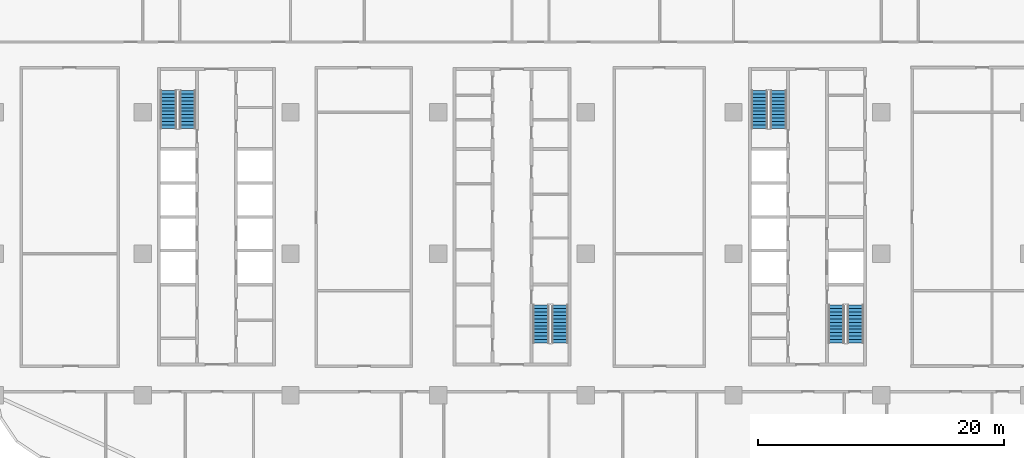
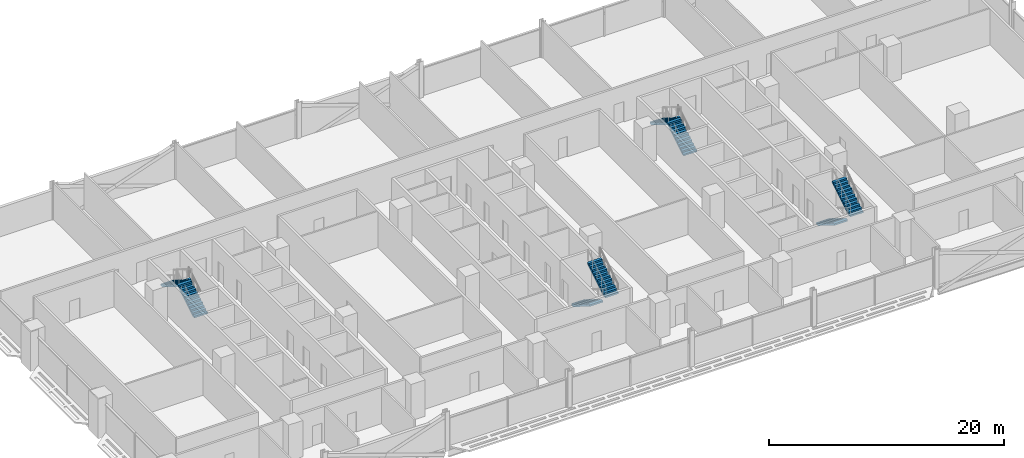
# One storey, part 18 of 29: 8 stair flights, 4 elements without a shape of their own.
"""IFC4 building model written with IfcOpenShell, lengths in metres."""

from ifc_helpers import new_model, si_unit, direction, frame, origin, place, context, subcontext, project, spatial, polyline, outline, extrude, material, type_object, element, aggregate, save


model = new_model("IFC4")

# Units and contexts
model_context = context("Model", 3, precision=1e-05, world=origin(), true_north=direction((0.0, 1.0)))
body_context = subcontext(model_context, "Body", "Model", "MODEL_VIEW")
ifc_project = project(units=[si_unit("LENGTHUNIT", "METRE"), si_unit("AREAUNIT", "SQUARE_METRE"), si_unit("VOLUMEUNIT", "CUBIC_METRE"), si_unit("PLANEANGLEUNIT", "RADIAN"), si_unit("MASSUNIT", "GRAM", prefix="KILO")], contexts=[model_context])

# Site, building, storey
site_placement = place(None, origin())
site = spatial("IfcSite", under=ifc_project, at=site_placement, CompositionType="ELEMENT")
building_placement = place(site_placement, origin())
building = spatial("IfcBuilding", under=site, at=building_placement, Name="Mahtab Terrace Research Tower", CompositionType="ELEMENT")
storey_placement = place(building_placement, frame((0.0, 0.0, 93.0)))
storey = spatial("IfcBuildingStorey", under=building, at=storey_placement, Name="L21", CompositionType="ELEMENT", Elevation=93.0)

# Stair, stair flights
ifc_material_1 = material(Name="Exit stair half-turn")
stair_type = type_object("IfcStairType", Name="Exit stair half-turn", PredefinedType="HALF_TURN_STAIR", material=ifc_material_1)
stair_1_placement = place(storey_placement, origin())
stair_1 = element("IfcStair", 1, at=stair_1_placement, inside=storey, type_object=stair_type, Name="L21 Protected exit stair ST1", PredefinedType="HALF_TURN_STAIR")
ifc_material_2 = material(Name="Concrete C40/50", Category="concrete")
stair_flight_type = type_object("IfcStairFlightType", Name="Exit stair flight 1300", PredefinedType="STRAIGHT", material=ifc_material_2)
stair_flight_1_placement = place(storey_placement, frame((-26.35009765625, 10.175048828125, 0.0), z_axis=(0.0, 0.0, 1.0), x_axis=(0.0, 1.0, 0.0)))
stair_flight_1 = element("IfcStairFlight", 2, at=stair_flight_1_placement, type_object=stair_flight_type, Name="ST1 flight 1", NumberOfRisers=12, NumberOfTreads=11, PredefinedType="STRAIGHT", RiserHeight=0.170833333, TreadLength=0.28, context=body_context, shape_type="SweptSolid", body=[
    extrude(outline(polyline([(0.0, 0.0), (0.0, 0.1708984375), (0.280029296875, 0.1708984375), (0.280029296875, 0.341552734375), (0.56005859375, 0.341552734375), (0.56005859375, 0.512451171875), (0.840087890625, 0.512451171875), (0.840087890625, 0.683349609375), (1.1201171875, 0.683349609375), (1.1201171875, 0.854248046875), (1.39990234375, 0.854248046875), (1.39990234375, 1.02490234375), (1.679931640625, 1.02490234375), (1.679931640625, 1.19580078125), (1.9599609375, 1.19580078125), (1.9599609375, 1.36669921875), (2.239990234375, 1.36669921875), (2.239990234375, 1.53759765625), (2.52001953125, 1.53759765625), (2.52001953125, 1.708251953125), (2.800048828125, 1.708251953125), (2.800048828125, 1.879150390625), (3.080078125, 1.879150390625), (3.080078125, 2.050048828125), (3.080078125, 1.70361328125), (0.287841796875, 0.0), (0.0, 0.0)])), frame((0.0, 0.64990234375, 0.0), z_axis=(0.0, -1.0, 0.0), x_axis=(1.0, 0.0, 0.0)), (0.0, 0.0, 1.0), 1.300048828125),
])
stair_flight_2_placement = place(storey_placement, frame((-27.89990234375, 13.2548828125, 2.050048828125), z_axis=(0.0, 0.0, 1.0), x_axis=(0.0, -1.0, 0.0)))
stair_flight_2 = element("IfcStairFlight", 3, at=stair_flight_2_placement, type_object=stair_flight_type, Name="ST1 flight 2", NumberOfRisers=12, NumberOfTreads=11, PredefinedType="STRAIGHT", RiserHeight=0.170833333, TreadLength=0.28, context=body_context, shape_type="SweptSolid", body=[
    extrude(outline(polyline([(0.0, 0.0), (0.0, 0.1708984375), (0.280029296875, 0.1708984375), (0.280029296875, 0.341552734375), (0.56005859375, 0.341552734375), (0.56005859375, 0.512451171875), (0.840087890625, 0.512451171875), (0.840087890625, 0.683349609375), (1.1201171875, 0.683349609375), (1.1201171875, 0.854248046875), (1.39990234375, 0.854248046875), (1.39990234375, 1.02490234375), (1.679931640625, 1.02490234375), (1.679931640625, 1.19580078125), (1.9599609375, 1.19580078125), (1.9599609375, 1.36669921875), (2.239990234375, 1.36669921875), (2.239990234375, 1.53759765625), (2.52001953125, 1.53759765625), (2.52001953125, 1.708251953125), (2.800048828125, 1.708251953125), (2.800048828125, 1.879150390625), (3.080078125, 1.879150390625), (3.080078125, 2.050048828125), (3.080078125, 1.70361328125), (0.287841796875, 0.0), (0.0, 0.0)])), frame((0.0, 0.64990234375, 0.0), z_axis=(0.0, -1.0, 0.0), x_axis=(1.0, 0.0, 0.0)), (0.0, 0.0, 1.0), 1.300048828125),
])
aggregate(stair_1, [stair_flight_1, stair_flight_2])

stair_2_placement = place(storey_placement, origin())
stair_2 = element("IfcStair", 4, at=stair_2_placement, inside=storey, type_object=stair_type, Name="L21 Protected exit stair ST2", PredefinedType="HALF_TURN_STAIR")
stair_flight_3_placement = place(storey_placement, frame((2.35009765625, -4.175048828125, 0.0), z_axis=(0.0, 0.0, 1.0), x_axis=(0.0, -1.0, 0.0)))
stair_flight_3 = element("IfcStairFlight", 5, at=stair_flight_3_placement, type_object=stair_flight_type, Name="ST2 flight 1", NumberOfRisers=12, NumberOfTreads=11, PredefinedType="STRAIGHT", RiserHeight=0.170833333, TreadLength=0.28, context=body_context, shape_type="SweptSolid", body=[
    extrude(outline(polyline([(0.0, 0.0), (0.0, 0.1708984375), (0.280029296875, 0.1708984375), (0.280029296875, 0.341552734375), (0.56005859375, 0.341552734375), (0.56005859375, 0.512451171875), (0.840087890625, 0.512451171875), (0.840087890625, 0.683349609375), (1.1201171875, 0.683349609375), (1.1201171875, 0.854248046875), (1.39990234375, 0.854248046875), (1.39990234375, 1.02490234375), (1.679931640625, 1.02490234375), (1.679931640625, 1.19580078125), (1.9599609375, 1.19580078125), (1.9599609375, 1.36669921875), (2.239990234375, 1.36669921875), (2.239990234375, 1.53759765625), (2.52001953125, 1.53759765625), (2.52001953125, 1.708251953125), (2.800048828125, 1.708251953125), (2.800048828125, 1.879150390625), (3.080078125, 1.879150390625), (3.080078125, 2.050048828125), (3.080078125, 1.70361328125), (0.287841796875, 0.0), (0.0, 0.0)])), frame((0.0, 0.64990234375, 0.0), z_axis=(0.0, -1.0, 0.0), x_axis=(1.0, 0.0, 0.0)), (0.0, 0.0, 1.0), 1.300048828125),
])
stair_flight_4_placement = place(storey_placement, frame((3.89990234375, -7.2548828125, 2.050048828125), z_axis=(0.0, 0.0, 1.0), x_axis=(0.0, 1.0, 0.0)))
stair_flight_4 = element("IfcStairFlight", 6, at=stair_flight_4_placement, type_object=stair_flight_type, Name="ST2 flight 2", NumberOfRisers=12, NumberOfTreads=11, PredefinedType="STRAIGHT", RiserHeight=0.170833333, TreadLength=0.28, context=body_context, shape_type="SweptSolid", body=[
    extrude(outline(polyline([(0.0, 0.0), (0.0, 0.1708984375), (0.280029296875, 0.1708984375), (0.280029296875, 0.341552734375), (0.56005859375, 0.341552734375), (0.56005859375, 0.512451171875), (0.840087890625, 0.512451171875), (0.840087890625, 0.683349609375), (1.1201171875, 0.683349609375), (1.1201171875, 0.854248046875), (1.39990234375, 0.854248046875), (1.39990234375, 1.02490234375), (1.679931640625, 1.02490234375), (1.679931640625, 1.19580078125), (1.9599609375, 1.19580078125), (1.9599609375, 1.36669921875), (2.239990234375, 1.36669921875), (2.239990234375, 1.53759765625), (2.52001953125, 1.53759765625), (2.52001953125, 1.708251953125), (2.800048828125, 1.708251953125), (2.800048828125, 1.879150390625), (3.080078125, 1.879150390625), (3.080078125, 2.050048828125), (3.080078125, 1.70361328125), (0.287841796875, 0.0), (0.0, 0.0)])), frame((0.0, 0.64990234375, 0.0), z_axis=(0.0, -1.0, 0.0), x_axis=(1.0, 0.0, 0.0)), (0.0, 0.0, 1.0), 1.300048828125),
])
aggregate(stair_2, [stair_flight_3, stair_flight_4])

stair_3_placement = place(storey_placement, origin())
stair_3 = element("IfcStair", 7, at=stair_3_placement, inside=storey, type_object=stair_type, Name="L21 Protected exit stair ST3", PredefinedType="HALF_TURN_STAIR")
stair_flight_5_placement = place(storey_placement, frame((21.64990234375, 10.175048828125, 0.0), z_axis=(0.0, 0.0, 1.0), x_axis=(0.0, 1.0, 0.0)))
stair_flight_5 = element("IfcStairFlight", 8, at=stair_flight_5_placement, type_object=stair_flight_type, Name="ST3 flight 1", NumberOfRisers=12, NumberOfTreads=11, PredefinedType="STRAIGHT", RiserHeight=0.170833333, TreadLength=0.28, context=body_context, shape_type="SweptSolid", body=[
    extrude(outline(polyline([(0.0, 0.0), (0.0, 0.1708984375), (0.280029296875, 0.1708984375), (0.280029296875, 0.341552734375), (0.56005859375, 0.341552734375), (0.56005859375, 0.512451171875), (0.840087890625, 0.512451171875), (0.840087890625, 0.683349609375), (1.1201171875, 0.683349609375), (1.1201171875, 0.854248046875), (1.39990234375, 0.854248046875), (1.39990234375, 1.02490234375), (1.679931640625, 1.02490234375), (1.679931640625, 1.19580078125), (1.9599609375, 1.19580078125), (1.9599609375, 1.36669921875), (2.239990234375, 1.36669921875), (2.239990234375, 1.53759765625), (2.52001953125, 1.53759765625), (2.52001953125, 1.708251953125), (2.800048828125, 1.708251953125), (2.800048828125, 1.879150390625), (3.080078125, 1.879150390625), (3.080078125, 2.050048828125), (3.080078125, 1.70361328125), (0.287841796875, 0.0), (0.0, 0.0)])), frame((0.0, 0.64990234375, 0.0), z_axis=(0.0, -1.0, 0.0), x_axis=(1.0, 0.0, 0.0)), (0.0, 0.0, 1.0), 1.300048828125),
])
stair_flight_6_placement = place(storey_placement, frame((20.10009765625, 13.2548828125, 2.050048828125), z_axis=(0.0, 0.0, 1.0), x_axis=(0.0, -1.0, 0.0)))
stair_flight_6 = element("IfcStairFlight", 9, at=stair_flight_6_placement, type_object=stair_flight_type, Name="ST3 flight 2", NumberOfRisers=12, NumberOfTreads=11, PredefinedType="STRAIGHT", RiserHeight=0.170833333, TreadLength=0.28, context=body_context, shape_type="SweptSolid", body=[
    extrude(outline(polyline([(0.0, 0.0), (0.0, 0.1708984375), (0.280029296875, 0.1708984375), (0.280029296875, 0.341552734375), (0.56005859375, 0.341552734375), (0.56005859375, 0.512451171875), (0.840087890625, 0.512451171875), (0.840087890625, 0.683349609375), (1.1201171875, 0.683349609375), (1.1201171875, 0.854248046875), (1.39990234375, 0.854248046875), (1.39990234375, 1.02490234375), (1.679931640625, 1.02490234375), (1.679931640625, 1.19580078125), (1.9599609375, 1.19580078125), (1.9599609375, 1.36669921875), (2.239990234375, 1.36669921875), (2.239990234375, 1.53759765625), (2.52001953125, 1.53759765625), (2.52001953125, 1.708251953125), (2.800048828125, 1.708251953125), (2.800048828125, 1.879150390625), (3.080078125, 1.879150390625), (3.080078125, 2.050048828125), (3.080078125, 1.70361328125), (0.287841796875, 0.0), (0.0, 0.0)])), frame((0.0, 0.64990234375, 0.0), z_axis=(0.0, -1.0, 0.0), x_axis=(1.0, 0.0, 0.0)), (0.0, 0.0, 1.0), 1.300048828125),
])
aggregate(stair_3, [stair_flight_5, stair_flight_6])

stair_4_placement = place(storey_placement, origin())
stair_4 = element("IfcStair", 10, at=stair_4_placement, inside=storey, type_object=stair_type, Name="L21 Protected exit stair ST4", PredefinedType="HALF_TURN_STAIR")
stair_flight_7_placement = place(storey_placement, frame((26.35009765625, -4.175048828125, 0.0), z_axis=(0.0, 0.0, 1.0), x_axis=(0.0, -1.0, 0.0)))
stair_flight_7 = element("IfcStairFlight", 11, at=stair_flight_7_placement, type_object=stair_flight_type, Name="ST4 flight 1", NumberOfRisers=12, NumberOfTreads=11, PredefinedType="STRAIGHT", RiserHeight=0.170833333, TreadLength=0.28, context=body_context, shape_type="SweptSolid", body=[
    extrude(outline(polyline([(0.0, 0.0), (0.0, 0.1708984375), (0.280029296875, 0.1708984375), (0.280029296875, 0.341552734375), (0.56005859375, 0.341552734375), (0.56005859375, 0.512451171875), (0.840087890625, 0.512451171875), (0.840087890625, 0.683349609375), (1.1201171875, 0.683349609375), (1.1201171875, 0.854248046875), (1.39990234375, 0.854248046875), (1.39990234375, 1.02490234375), (1.679931640625, 1.02490234375), (1.679931640625, 1.19580078125), (1.9599609375, 1.19580078125), (1.9599609375, 1.36669921875), (2.239990234375, 1.36669921875), (2.239990234375, 1.53759765625), (2.52001953125, 1.53759765625), (2.52001953125, 1.708251953125), (2.800048828125, 1.708251953125), (2.800048828125, 1.879150390625), (3.080078125, 1.879150390625), (3.080078125, 2.050048828125), (3.080078125, 1.70361328125), (0.287841796875, 0.0), (0.0, 0.0)])), frame((0.0, 0.64990234375, 0.0), z_axis=(0.0, -1.0, 0.0), x_axis=(1.0, 0.0, 0.0)), (0.0, 0.0, 1.0), 1.300048828125),
])
stair_flight_8_placement = place(storey_placement, frame((27.89990234375, -7.2548828125, 2.050048828125), z_axis=(0.0, 0.0, 1.0), x_axis=(0.0, 1.0, 0.0)))
stair_flight_8 = element("IfcStairFlight", 12, at=stair_flight_8_placement, type_object=stair_flight_type, Name="ST4 flight 2", NumberOfRisers=12, NumberOfTreads=11, PredefinedType="STRAIGHT", RiserHeight=0.170833333, TreadLength=0.28, context=body_context, shape_type="SweptSolid", body=[
    extrude(outline(polyline([(0.0, 0.0), (0.0, 0.1708984375), (0.280029296875, 0.1708984375), (0.280029296875, 0.341552734375), (0.56005859375, 0.341552734375), (0.56005859375, 0.512451171875), (0.840087890625, 0.512451171875), (0.840087890625, 0.683349609375), (1.1201171875, 0.683349609375), (1.1201171875, 0.854248046875), (1.39990234375, 0.854248046875), (1.39990234375, 1.02490234375), (1.679931640625, 1.02490234375), (1.679931640625, 1.19580078125), (1.9599609375, 1.19580078125), (1.9599609375, 1.36669921875), (2.239990234375, 1.36669921875), (2.239990234375, 1.53759765625), (2.52001953125, 1.53759765625), (2.52001953125, 1.708251953125), (2.800048828125, 1.708251953125), (2.800048828125, 1.879150390625), (3.080078125, 1.879150390625), (3.080078125, 2.050048828125), (3.080078125, 1.70361328125), (0.287841796875, 0.0), (0.0, 0.0)])), frame((0.0, 0.64990234375, 0.0), z_axis=(0.0, -1.0, 0.0), x_axis=(1.0, 0.0, 0.0)), (0.0, 0.0, 1.0), 1.300048828125),
])
aggregate(stair_4, [stair_flight_7, stair_flight_8])

save(model, "model.ifc")
